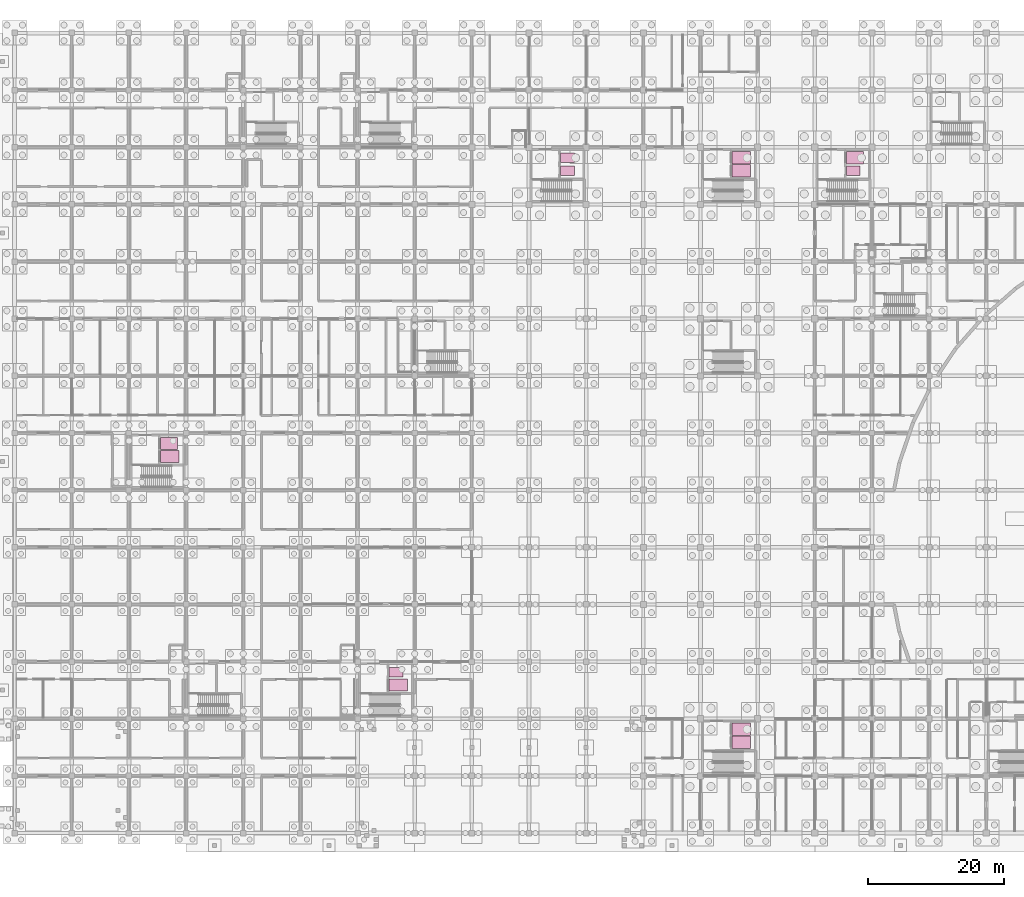
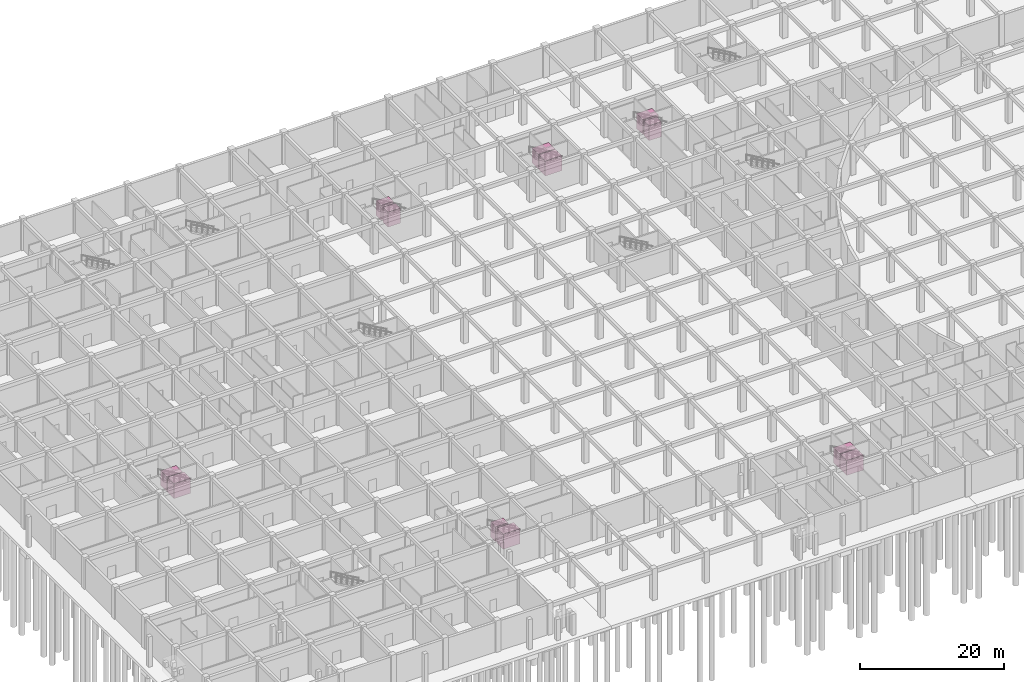
# One storey, part 65 of 65: 12 transport elements.
"""IFC4 building model written with IfcOpenShell, lengths in metres."""

import ifcopenshell
import ifcopenshell.guid

model = None  # the IFC model being written
_history = None  # IfcOwnerHistory: only IFC2X3 demands one
_inside = {}  # id of a spatial element -> (the spatial element, [elements in it])
_under = {}  # id of a project, library or spatial element -> (it, [spatial elements below it])
_declared = {}  # id of a project -> (the project, [libraries it declares])
_typed = {}  # id of a type object -> (the type object, [elements of that type])
_made_of = {}  # id of a material, layer set ... -> (it, [elements and type objects made of it])


def new_model(schema):
    """Start an empty IFC model of exactly this schema.

    Asked for "IFC4X3", IfcOpenShell would pick the latest addendum, in which some entities
    have other attributes; the version numbers below select the first issue.
    IFC2X3 requires an IfcOwnerHistory on every rooted entity: one is made here for all.
    """
    global model, _history
    if schema == "IFC4X3":
        model = ifcopenshell.file(schema_version=(4, 3, 0, 0))
    else:
        model = ifcopenshell.file(schema=schema)
    _inside.clear()
    _under.clear()
    _declared.clear()
    _typed.clear()
    _made_of.clear()
    _history = None
    if model.schema == "IFC2X3":
        org = make("IfcOrganization", Name="unknown")
        user = make(
            "IfcPersonAndOrganization",
            ThePerson=make("IfcPerson", FamilyName="unknown"),
            TheOrganization=org,
        )
        app = make(
            "IfcApplication",
            ApplicationDeveloper=org,
            Version="unknown",
            ApplicationFullName="unknown",
            ApplicationIdentifier="unknown",
        )
        _history = make(
            "IfcOwnerHistory",
            OwningUser=user,
            OwningApplication=app,
            ChangeAction="ADDED",
            CreationDate=0,
        )
    return model


def make(cls, **values):
    """One entity of the class cls with the attributes given. An attribute that is None is left unset."""
    return model.create_entity(
        cls, **{name: value for name, value in values.items() if value is not None}
    )


def rooted(cls, **values):
    """An entity with a GlobalId (a new one), such as an element, a storey or a relation."""
    return make(cls, GlobalId=ifcopenshell.guid.new(), OwnerHistory=_history, **values)


def si_unit(unit_type, name, prefix=None):
    """IfcSIUnit, for example si_unit("LENGTHUNIT", "METRE", prefix="MILLI")."""
    return make("IfcSIUnit", UnitType=unit_type, Prefix=prefix, Name=name)


def assignment(units):
    """IfcUnitAssignment: the units of a project."""
    return None if units is None else make("IfcUnitAssignment", Units=units)


def point(xyz):
    """IfcCartesianPoint."""
    return None if xyz is None else make("IfcCartesianPoint", Coordinates=xyz)


def direction(xyz):
    """IfcDirection."""
    return None if xyz is None else make("IfcDirection", DirectionRatios=xyz)


def frame(location, z_axis=None, x_axis=None):
    """IfcAxis2Placement3D, a coordinate frame: its origin and axes. An axis left out is left unset."""
    return make(
        "IfcAxis2Placement3D",
        Location=point(location),
        Axis=direction(z_axis),
        RefDirection=direction(x_axis),
    )


def frame_2d(location, x_axis=None):
    """IfcAxis2Placement2D, a coordinate frame in the plane: its origin and x axis."""
    return make(
        "IfcAxis2Placement2D", Location=point(location), RefDirection=direction(x_axis)
    )


def origin():
    """The frame at (0, 0, 0) with its axes left unset."""
    return frame((0.0, 0.0, 0.0))


def origin_2d():
    """The frame at (0, 0) in the plane with its x axis left unset."""
    return frame_2d((0.0, 0.0))


def place(relative_to, where):
    """IfcLocalPlacement: puts the frame where relative to a parent placement (None: the world)."""
    return make(
        "IfcLocalPlacement", PlacementRelTo=relative_to, RelativePlacement=where
    )


def context(
    kind, dimensions, precision=None, world=None, true_north=None, identifier=None
):
    """IfcGeometricRepresentationContext, for example the 3D "Model" context."""
    return make(
        "IfcGeometricRepresentationContext",
        ContextIdentifier=identifier,
        ContextType=kind,
        CoordinateSpaceDimension=dimensions,
        Precision=precision,
        WorldCoordinateSystem=world,
        TrueNorth=true_north,
    )


def subcontext(parent, identifier, kind, view, scale=None):
    """IfcGeometricRepresentationSubContext, for example "Body" below "Model"."""
    return make(
        "IfcGeometricRepresentationSubContext",
        ContextIdentifier=identifier,
        ContextType=kind,
        ParentContext=parent,
        TargetScale=scale,
        TargetView=view,
    )


def project(units=None, contexts=None):
    """IfcProject with its units and contexts."""
    return rooted(
        "IfcProject",
        Name="project",
        RepresentationContexts=contexts,
        UnitsInContext=assignment(units),
    )


def spatial(cls, under=None, at=None, **own):
    """A site, building, storey or space (cls), placed at a placement, below another one or the project."""
    s = rooted(cls, ObjectPlacement=at, **own)
    if under is not None:
        _under.setdefault(under.id(), (under, []))[1].append(s)
    return s


def profile(cls, at=None, kind="AREA", **sizes):
    """A parametric profile (cls). Its sizes go by their IFC names, for example OverallWidth=200.0."""
    return make(cls, ProfileType=kind, Position=at, **sizes)


def rectangle(**sizes):
    """IfcRectangleProfileDef."""
    return profile("IfcRectangleProfileDef", **sizes)


def extrude(swept, where, along, depth):
    """IfcExtrudedAreaSolid: the profile swept, set in the frame where, extruded along a direction by depth."""
    return make(
        "IfcExtrudedAreaSolid",
        SweptArea=swept,
        Position=where,
        ExtrudedDirection=direction(along),
        Depth=depth,
    )


def shape(context_of_items, identifier, shape_type, items):
    """IfcShapeRepresentation: the items that make up one representation, for example the "Body"."""
    return make(
        "IfcShapeRepresentation",
        ContextOfItems=context_of_items,
        RepresentationIdentifier=identifier,
        RepresentationType=shape_type,
        Items=items,
    )


def material(Name=None, Category=None):
    """IfcMaterial."""
    return make("IfcMaterial", Name=Name, Category=Category)


def made_of(thing, what):
    """Note that an element or type object is made of a material, layer set ...; save() writes the relation."""
    if what is not None:
        _made_of.setdefault(what.id(), (what, []))[1].append(thing)
    return thing


def type_object(cls, material=None, **own):
    """A type object (cls), such as IfcWallType, which elements share."""
    return made_of(rooted(cls, **own), material)


def element(
    cls,
    number,
    at=None,
    inside=None,
    cuts=None,
    type_object=None,
    material=None,
    context=None,
    identifier="Body",
    shape_type=None,
    held_by="IfcProductDefinitionShape",
    body=None,
    shapes=None,
    **own,
):
    """One element of the class cls, such as IfcWall. Its Tag is "e" and its number.

    at: its placement. inside: the storey or other place that contains it. cuts: it is an
    opening in that element (IfcRelVoidsElement). A single representation is given by context,
    identifier, shape_type and body (its items); several are given by shapes. held_by: the class
    of the entity that holds the representations. save() writes the other relations.
    """
    e = rooted(cls, Tag="e%d" % number, ObjectPlacement=at, **own)
    if body is not None:
        shapes = [shape(context, identifier, shape_type, body)]
    if shapes is not None:
        e.Representation = make(held_by, Representations=shapes)
    if inside is not None:
        _inside.setdefault(inside.id(), (inside, []))[1].append(e)
    if cuts is not None:
        rooted(
            "IfcRelVoidsElement", RelatingBuildingElement=cuts, RelatedOpeningElement=e
        )
    if type_object is not None:
        _typed.setdefault(type_object.id(), (type_object, []))[1].append(e)
    return made_of(e, material)


def aggregate(whole, parts):
    """IfcRelAggregates: a whole, such as a stair, and the parts it consists of."""
    return rooted("IfcRelAggregates", RelatingObject=whole, RelatedObjects=parts)


def save(model, path):
    """Write the relations noted so far, then the file.

    IfcRelAggregates (storeys below a building ...), IfcRelContainedInSpatialStructure (elements
    in a storey), IfcRelDefinesByType, IfcRelAssociatesMaterial and IfcRelDeclares: one each for
    every whole, place, type object, material and project.
    """
    for whole, parts in _under.values():
        aggregate(whole, parts)
    for where, things in _inside.values():
        rooted(
            "IfcRelContainedInSpatialStructure",
            RelatedElements=things,
            RelatingStructure=where,
        )
    for kind, things in _typed.values():
        rooted("IfcRelDefinesByType", RelatedObjects=things, RelatingType=kind)
    for what, things in _made_of.values():
        rooted("IfcRelAssociatesMaterial", RelatedObjects=things, RelatingMaterial=what)
    for by, libraries in _declared.values():
        rooted("IfcRelDeclares", RelatingContext=by, RelatedDefinitions=libraries)
    model.write(path)


model = new_model("IFC4")

# Units and contexts
model_context = context("Model", 3, precision=1e-05, world=origin(), true_north=direction((0.0, 1.0)))
body_context = subcontext(model_context, "Body", "Model", "MODEL_VIEW")
ifc_project = project(units=[si_unit("LENGTHUNIT", "METRE"), si_unit("AREAUNIT", "SQUARE_METRE"), si_unit("VOLUMEUNIT", "CUBIC_METRE"), si_unit("PLANEANGLEUNIT", "RADIAN"), si_unit("MASSUNIT", "GRAM", prefix="KILO")], contexts=[model_context])

# Site, building, storey
site_placement = place(None, origin())
site = spatial("IfcSite", under=ifc_project, at=site_placement, CompositionType="ELEMENT")
building_placement = place(site_placement, origin())
building = spatial("IfcBuilding", under=site, at=building_placement, Name="Bramfleet General Hospital", CompositionType="ELEMENT")
storey_placement = place(building_placement, frame((0.0, 0.0, -5.39990234375)))
storey = spatial("IfcBuildingStorey", under=building, at=storey_placement, Name="B1", CompositionType="ELEMENT", Elevation=-5.39990234375)

# Transport elements
ifc_material = material(Name="Brushed stainless steel 1.4301", Category="steel")
transport_element_type_1 = type_object("IfcTransportElementType", Name="LFT-BED-2500", PredefinedType="ELEVATOR", material=ifc_material)
for number, where, z_axis, x_axis, name in (
    (1, (56.39990234375, 21.75, 0.0), (0.0, 0.0, 1.0), (1.0, 0.0, 0.0), "Hospital Lift BL-02"),
    (2, (22.800048828125, 55.35009765625, 0.0), (0.0, 0.0, 1.0), (1.0, 0.0, 0.0), "Hospital Lift BL-01"),
    (3, (106.800048828125, 15.25, 0.0), (0.0, 0.0, 1.0), (1.0, 0.0, 0.0), "Hospital Lift BL-03"),
    (4, (106.800048828125, 99.25, 0.0), (0.0, 0.0, 1.0), (1.0, 0.0, 0.0), "Hospital Lift BL-04"),
):
    element("IfcTransportElement", number, at=place(storey_placement, frame(where, z_axis=z_axis, x_axis=x_axis)), inside=storey, type_object=transport_element_type_1, Name=name, PredefinedType="ELEVATOR", context=body_context, shape_type="SweptSolid", body=[
        extrude(rectangle(XDim=2.699951171875, YDim=1.800048828125, at=origin_2d()), origin(), (0.0, 0.0, 1.0), 2.550048828125),
    ])
transport_element_type_2 = type_object("IfcTransportElementType", Name="LFT-FF-2500", PredefinedType="ELEVATOR", material=ifc_material)
for number, where, z_axis, x_axis, name in (
    (5, (106.800048828125, 13.35009765625, 0.0), (0.0, 0.0, 1.0), (1.0, 0.0, 0.0), "Hospital Lift FL-01"),
    (6, (106.800048828125, 97.35009765625, 0.0), (0.0, 0.0, 1.0), (1.0, 0.0, 0.0), "Hospital Lift FL-02"),
):
    element("IfcTransportElement", number, at=place(storey_placement, frame(where, z_axis=z_axis, x_axis=x_axis)), inside=storey, type_object=transport_element_type_2, Name=name, PredefinedType="ELEVATOR", context=body_context, shape_type="SweptSolid", body=[
        extrude(rectangle(XDim=2.699951171875, YDim=1.800048828125, at=origin_2d()), origin(), (0.0, 0.0, 1.0), 2.550048828125),
    ])
transport_element_type_3 = type_object("IfcTransportElementType", Name="LFT-GDS-2500", PredefinedType="ELEVATOR", material=ifc_material)
for number, where, z_axis, x_axis, name in (
    (7, (22.699951171875, 57.25, 0.0), (0.0, 0.0, 1.0), (1.0, 0.0, 0.0), "Hospital Lift GL-01"),
    (8, (123.5, 99.25, 0.0), (0.0, 0.0, 1.0), (1.0, 0.0, 0.0), "Hospital Lift GL-02"),
):
    element("IfcTransportElement", number, at=place(storey_placement, frame(where, z_axis=z_axis, x_axis=x_axis)), inside=storey, type_object=transport_element_type_3, Name=name, PredefinedType="ELEVATOR", context=body_context, shape_type="SweptSolid", body=[
        extrude(rectangle(XDim=2.5, YDim=1.800048828125, at=origin_2d()), origin(), (0.0, 0.0, 1.0), 2.550048828125),
    ])
transport_element_type_4 = type_object("IfcTransportElementType", Name="LFT-PAX-1600", PredefinedType="ELEVATOR", material=ifc_material)
for number, where, z_axis, x_axis, name in (
    (9, (56.050048828125, 23.64990234375, 0.0), (0.0, 0.0, 1.0), (1.0, 0.0, 0.0), "Hospital Lift PL-01"),
    (10, (81.25, 97.35009765625, 0.0), (0.0, 0.0, 1.0), (1.0, 0.0, 0.0), "Hospital Lift PL-02"),
    (11, (81.25, 99.25, 0.0), (0.0, 0.0, 1.0), (1.0, 0.0, 0.0), "Hospital Lift PL-03"),
    (12, (123.25, 97.35009765625, 0.0), (0.0, 0.0, 1.0), (1.0, 0.0, 0.0), "Hospital Lift PL-04"),
):
    element("IfcTransportElement", number, at=place(storey_placement, frame(where, z_axis=z_axis, x_axis=x_axis)), inside=storey, type_object=transport_element_type_4, Name=name, PredefinedType="ELEVATOR", context=body_context, shape_type="SweptSolid", body=[
        extrude(rectangle(XDim=2.0, YDim=1.39990234375, at=origin_2d()), origin(), (0.0, 0.0, 1.0), 2.550048828125),
    ])

save(model, "model.ifc")
